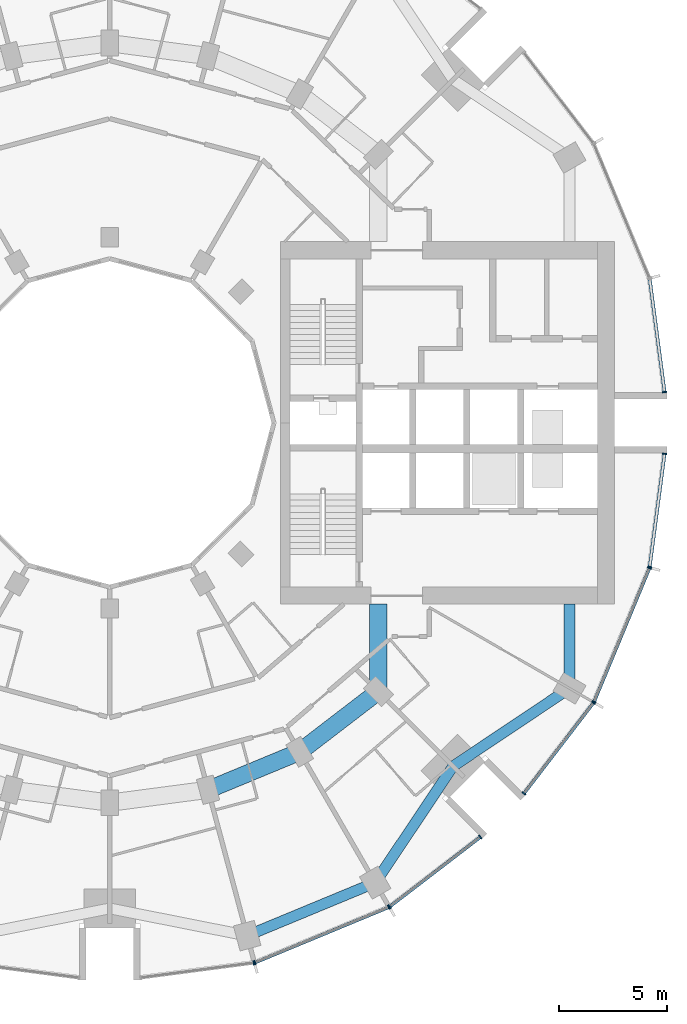
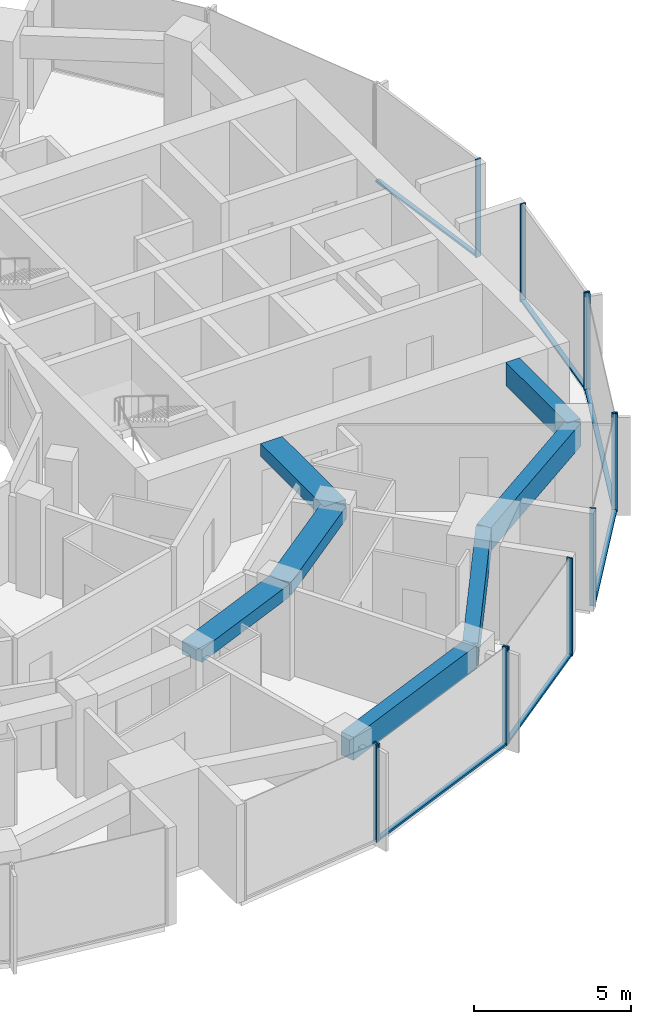
# One storey, part 4 of 15: 18 members, 7 beams, 7 elements without a shape of their own.
"""IFC4 building model written with IfcOpenShell, lengths in metres."""

from ifc_helpers import new_model, si_unit, direction, frame, origin, origin_2d, place, context, subcontext, project, spatial, rectangle, extrude, material, layer, layer_set, material_profile, profile_set, type_object, element, aggregate, save


model = new_model("IFC4")

# Units and contexts
model_context = context("Model", 3, precision=1e-05, world=origin(), true_north=direction((0.0, 1.0)))
body_context = subcontext(model_context, "Body", "Model", "MODEL_VIEW")
ifc_project = project(units=[si_unit("LENGTHUNIT", "METRE"), si_unit("AREAUNIT", "SQUARE_METRE"), si_unit("VOLUMEUNIT", "CUBIC_METRE"), si_unit("PLANEANGLEUNIT", "RADIAN"), si_unit("MASSUNIT", "GRAM", prefix="KILO")], contexts=[model_context])

# Site, building, storey
site_placement = place(None, origin())
site = spatial("IfcSite", under=ifc_project, at=site_placement, CompositionType="ELEMENT")
building_placement = place(site_placement, origin())
building = spatial("IfcBuilding", under=site, at=building_placement, Name="Torre Brocal", CompositionType="ELEMENT")
storey_placement = place(building_placement, frame((0.0, 0.0, 44.0)))
storey = spatial("IfcBuildingStorey", under=building, at=storey_placement, Name="L09", CompositionType="ELEMENT", Elevation=44.0)

# Curtain wall, member
ifc_material_1 = material(Name="Aluminium and glass", Category="aluminium")
ifc_layer_1 = layer(ifc_material_1, 0.199951171875)
ifc_layer_set_1 = layer_set([ifc_layer_1], Name="Aluminium and glass")
curtain_wall_type_1 = type_object("IfcCurtainWallType", Name="CW-1 CURTAIN WALL 3800 HIGH", PredefinedType="NOTDEFINED", material=ifc_layer_set_1)
curtain_wall_1_placement = place(storey_placement, origin())
curtain_wall_1 = element("IfcCurtainWall", 1, at=curtain_wall_1_placement, inside=storey, type_object=curtain_wall_type_1, Name="CW-1 RUN 19", PredefinedType="NOTDEFINED")
ifc_material_2 = material(Name="Aluminium, dark anodised", Category="aluminium")
ifc_material_profile_1 = material_profile(ifc_material_2, rectangle(XDim=0.199951171875, YDim=0.06005859375, at=origin_2d()), Name="CW-1 MULLION 60X200")
ifc_profile_set_1 = profile_set([ifc_material_profile_1], Name="Aluminium, dark anodised")
member_type_1 = type_object("IfcMemberType", Name="CW-1 MULLION 60X200", PredefinedType="MULLION", material=ifc_profile_set_1)
member_1_placement = place(storey_placement, frame((86.67333984375, 49.9794921875, 0.0), z_axis=(0.0, 0.0, 1.0), x_axis=(-0.13052619222, 0.991444861374, 0.0)))
member_1 = element("IfcMember", 2, at=member_1_placement, type_object=member_type_1, Name="CW1-1 mullion 2", PredefinedType="MULLION", context=body_context, shape_type="SweptSolid", body=[
    extrude(rectangle(XDim=0.199951171875, YDim=0.06005859375, at=origin_2d()), origin(), (0.0, 0.0, 1.0), 3.800048828125),
])
aggregate(curtain_wall_1, [member_1])

# Curtain wall, members
curtain_wall_2_placement = place(storey_placement, origin())
curtain_wall_2 = element("IfcCurtainWall", 3, at=curtain_wall_2_placement, inside=storey, type_object=curtain_wall_type_1, Name="CW-1 RUN 20", PredefinedType="NOTDEFINED")
member_2_placement = place(storey_placement, frame((86.73095703125, 49.994873046875, 0.0), z_axis=(0.0, 0.0, 1.0), x_axis=(-0.382683432333, 0.923879532525, 0.0)))
member_2 = element("IfcMember", 4, at=member_2_placement, type_object=member_type_1, Name="CW1-1 mullion 1", PredefinedType="MULLION", context=body_context, shape_type="SweptSolid", body=[
    extrude(rectangle(XDim=0.199951171875, YDim=0.06005859375, at=origin_2d()), origin(), (0.0, 0.0, 1.0), 3.800048828125),
])
member_3_placement = place(storey_placement, frame((92.921875, 52.559326171875, 0.0), z_axis=(0.0, 0.0, 1.0), x_axis=(-0.382683432333, 0.923879532525, 0.0)))
member_3 = element("IfcMember", 5, at=member_3_placement, type_object=member_type_1, Name="CW1-1 mullion 2", PredefinedType="MULLION", context=body_context, shape_type="SweptSolid", body=[
    extrude(rectangle(XDim=0.199951171875, YDim=0.06005859375, at=origin_2d()), origin(), (0.0, 0.0, 1.0), 3.800048828125),
])

curtain_wall_3_placement = place(storey_placement, origin())
curtain_wall_3 = element("IfcCurtainWall", 6, at=curtain_wall_3_placement, inside=storey, type_object=curtain_wall_type_1, Name="CW-1 RUN 21", PredefinedType="NOTDEFINED")
member_4_placement = place(storey_placement, frame((92.973388671875, 52.5888671875, 0.0), z_axis=(0.0, 0.0, 1.0), x_axis=(-0.60876142905, 0.793353340259, 0.0)))
member_4 = element("IfcMember", 7, at=member_4_placement, type_object=member_type_1, Name="CW1-1 mullion 1", PredefinedType="MULLION", context=body_context, shape_type="SweptSolid", body=[
    extrude(rectangle(XDim=0.199951171875, YDim=0.06005859375, at=origin_2d()), origin(), (0.0, 0.0, 1.0), 3.800048828125),
])
member_5_placement = place(storey_placement, frame((97.16943359375, 55.80859375, 0.0), z_axis=(0.0, 0.0, 1.0), x_axis=(-0.60876142905, 0.793353340259, 0.0)))
member_5 = element("IfcMember", 8, at=member_5_placement, type_object=member_type_1, Name="CW1-1 mullion 2", PredefinedType="MULLION", context=body_context, shape_type="SweptSolid", body=[
    extrude(rectangle(XDim=0.199951171875, YDim=0.06005859375, at=origin_2d()), origin(), (0.0, 0.0, 1.0), 3.800048828125),
])

curtain_wall_4_placement = place(storey_placement, origin())
curtain_wall_4 = element("IfcCurtainWall", 9, at=curtain_wall_4_placement, inside=storey, type_object=curtain_wall_type_1, Name="CW-1 RUN 22", PredefinedType="NOTDEFINED")
member_6_placement = place(storey_placement, frame((99.19140625, 57.83056640625, 0.0), z_axis=(0.0, 0.0, 1.0), x_axis=(-0.793353340259, 0.60876142905, 0.0)))
member_6 = element("IfcMember", 10, at=member_6_placement, type_object=member_type_1, Name="CW1-1 mullion 1", PredefinedType="MULLION", context=body_context, shape_type="SweptSolid", body=[
    extrude(rectangle(XDim=0.199951171875, YDim=0.06005859375, at=origin_2d()), origin(), (0.0, 0.0, 1.0), 3.800048828125),
])
member_7_placement = place(storey_placement, frame((102.4111328125, 62.026611328125, 0.0), z_axis=(0.0, 0.0, 1.0), x_axis=(-0.793353340259, 0.60876142905, 0.0)))
member_7 = element("IfcMember", 11, at=member_7_placement, type_object=member_type_1, Name="CW1-1 mullion 2", PredefinedType="MULLION", context=body_context, shape_type="SweptSolid", body=[
    extrude(rectangle(XDim=0.199951171875, YDim=0.06005859375, at=origin_2d()), origin(), (0.0, 0.0, 1.0), 3.800048828125),
])

curtain_wall_5_placement = place(storey_placement, origin())
curtain_wall_5 = element("IfcCurtainWall", 12, at=curtain_wall_5_placement, inside=storey, type_object=curtain_wall_type_1, Name="CW-1 RUN 23", PredefinedType="NOTDEFINED")
member_8_placement = place(storey_placement, frame((102.440673828125, 62.078125, 0.0), z_axis=(0.0, 0.0, 1.0), x_axis=(-0.923879532525, 0.382683432333, 0.0)))
member_8 = element("IfcMember", 13, at=member_8_placement, type_object=member_type_1, Name="CW1-1 mullion 1", PredefinedType="MULLION", context=body_context, shape_type="SweptSolid", body=[
    extrude(rectangle(XDim=0.199951171875, YDim=0.06005859375, at=origin_2d()), origin(), (0.0, 0.0, 1.0), 3.800048828125),
])
member_9_placement = place(storey_placement, frame((105.005126953125, 68.26904296875, 0.0), z_axis=(0.0, 0.0, 1.0), x_axis=(-0.923879532525, 0.382683432333, 0.0)))
member_9 = element("IfcMember", 14, at=member_9_placement, type_object=member_type_1, Name="CW1-1 mullion 2", PredefinedType="MULLION", context=body_context, shape_type="SweptSolid", body=[
    extrude(rectangle(XDim=0.199951171875, YDim=0.06005859375, at=origin_2d()), origin(), (0.0, 0.0, 1.0), 3.800048828125),
])

# Member
ifc_material_3 = material(Name="Aluminium, dark anodised", Category="aluminium")
ifc_material_profile_2 = material_profile(ifc_material_3, rectangle(XDim=0.159912109375, YDim=0.080078125, at=origin_2d()), Name="CW-1 TRANSOM 160X80")
ifc_profile_set_2 = profile_set([ifc_material_profile_2], Name="Aluminium, dark anodised")
member_type_2 = type_object("IfcMemberType", Name="CW-1 TRANSOM 160X80", PredefinedType="USERDEFINED", material=ifc_profile_set_2)
member_10_placement = place(storey_placement, frame((86.758544921875, 50.00634765625, 0.0400390625), z_axis=(0.923887344364, 0.38266457234, 0.0), x_axis=(-0.38266457234, 0.923887344364, 0.0)))
member_10 = element("IfcMember", 15, at=member_10_placement, type_object=member_type_2, Name="CW1-1 transom 1.1", ObjectType="TRANSOM", PredefinedType="USERDEFINED", context=body_context, shape_type="SweptSolid", body=[
    extrude(rectangle(XDim=0.159912109375, YDim=0.080078125, at=origin_2d()), origin(), (0.0, 0.0, 1.0), 6.640869140625),
])

aggregate(curtain_wall_2, [member_2, member_3, member_10])

member_11_placement = place(storey_placement, frame((92.9970703125, 52.607177734375, 0.0400390625), z_axis=(0.79336281513, 0.60874908096, 0.0), x_axis=(-0.60874908096, 0.79336281513, 0.0)))
member_11 = element("IfcMember", 16, at=member_11_placement, type_object=member_type_2, Name="CW1-1 transom 1.1", ObjectType="TRANSOM", PredefinedType="USERDEFINED", context=body_context, shape_type="SweptSolid", body=[
    extrude(rectangle(XDim=0.159912109375, YDim=0.080078125, at=origin_2d()), origin(), (0.0, 0.0, 1.0), 5.22900390625),
])

aggregate(curtain_wall_3, [member_4, member_5, member_11])

member_12_placement = place(storey_placement, frame((99.209716796875, 57.8544921875, 0.0400390625), z_axis=(0.60874908096, 0.79336281513, 0.0), x_axis=(-0.79336281513, 0.60874908096, 0.0)))
member_12 = element("IfcMember", 17, at=member_12_placement, type_object=member_type_2, Name="CW1-1 transom 1.1", ObjectType="TRANSOM", PredefinedType="USERDEFINED", context=body_context, shape_type="SweptSolid", body=[
    extrude(rectangle(XDim=0.159912109375, YDim=0.080078125, at=origin_2d()), origin(), (0.0, 0.0, 1.0), 5.22900390625),
])

aggregate(curtain_wall_4, [member_6, member_7, member_12])

member_13_placement = place(storey_placement, frame((102.452392578125, 62.10595703125, 0.0400390625), z_axis=(0.38266457234, 0.923887344364, 0.0), x_axis=(-0.923887344364, 0.38266457234, 0.0)))
member_13 = element("IfcMember", 18, at=member_13_placement, type_object=member_type_2, Name="CW1-1 transom 1.1", ObjectType="TRANSOM", PredefinedType="USERDEFINED", context=body_context, shape_type="SweptSolid", body=[
    extrude(rectangle(XDim=0.159912109375, YDim=0.080078125, at=origin_2d()), origin(), (0.0, 0.0, 1.0), 6.640869140625),
])

aggregate(curtain_wall_5, [member_8, member_9, member_13])

# Curtain wall, member
ifc_material_4 = material(Name="Aluminium and glass", Category="aluminium")
ifc_layer_2 = layer(ifc_material_4, 0.199951171875)
ifc_layer_set_2 = layer_set([ifc_layer_2], Name="Aluminium and glass")
curtain_wall_type_2 = type_object("IfcCurtainWallType", Name="CW-1B CURTAIN WALL 3800 HIGH", PredefinedType="NOTDEFINED", material=ifc_layer_set_2)
curtain_wall_6_placement = place(storey_placement, origin())
curtain_wall_6 = element("IfcCurtainWall", 19, at=curtain_wall_6_placement, inside=storey, type_object=curtain_wall_type_2, Name="CW-1B RUN 1", PredefinedType="NOTDEFINED")
ifc_material_5 = material(Name="Aluminium, dark anodised", Category="aluminium")
ifc_material_profile_3 = material_profile(ifc_material_5, rectangle(XDim=0.199951171875, YDim=0.06005859375, at=origin_2d()), Name="CW-1B MULLION 60X200")
ifc_profile_set_3 = profile_set([ifc_material_profile_3], Name="Aluminium, dark anodised")
member_type_3 = type_object("IfcMemberType", Name="CW-1B MULLION 60X200", PredefinedType="MULLION", material=ifc_profile_set_3)
member_14_placement = place(storey_placement, frame((105.7109375, 76.4296875, 0.0), z_axis=(0.0, 0.0, 1.0), x_axis=(-0.991444861374, -0.13052619222, 0.0)))
member_14 = element("IfcMember", 20, at=member_14_placement, type_object=member_type_3, Name="CW1B-1 mullion 1", PredefinedType="MULLION", context=body_context, shape_type="SweptSolid", body=[
    extrude(rectangle(XDim=0.199951171875, YDim=0.06005859375, at=origin_2d()), origin(), (0.0, 0.0, 1.0), 3.800048828125),
])

# Curtain wall, members
curtain_wall_7_placement = place(storey_placement, origin())
curtain_wall_7 = element("IfcCurtainWall", 21, at=curtain_wall_7_placement, inside=storey, type_object=curtain_wall_type_2, Name="CW-1B RUN 24", PredefinedType="NOTDEFINED")
member_15_placement = place(storey_placement, frame((105.0205078125, 68.32666015625, 0.0), z_axis=(0.0, 0.0, 1.0), x_axis=(-0.991444861374, 0.13052619222, 0.0)))
member_15 = element("IfcMember", 22, at=member_15_placement, type_object=member_type_3, Name="CW1B-1 mullion 1", PredefinedType="MULLION", context=body_context, shape_type="SweptSolid", body=[
    extrude(rectangle(XDim=0.199951171875, YDim=0.06005859375, at=origin_2d()), origin(), (0.0, 0.0, 1.0), 3.800048828125),
])
member_16_placement = place(storey_placement, frame((105.7109375, 73.5703125, 0.0), z_axis=(0.0, 0.0, 1.0), x_axis=(-0.991444861374, 0.13052619222, 0.0)))
member_16 = element("IfcMember", 23, at=member_16_placement, type_object=member_type_3, Name="CW1B-1 mullion 2", PredefinedType="MULLION", context=body_context, shape_type="SweptSolid", body=[
    extrude(rectangle(XDim=0.199951171875, YDim=0.06005859375, at=origin_2d()), origin(), (0.0, 0.0, 1.0), 3.800048828125),
])

# Member
ifc_material_6 = material(Name="Aluminium, dark anodised", Category="aluminium")
ifc_material_profile_4 = material_profile(ifc_material_6, rectangle(XDim=0.159912109375, YDim=0.080078125, at=origin_2d()), Name="CW-1B TRANSOM 160X80")
ifc_profile_set_4 = profile_set([ifc_material_profile_4], Name="Aluminium, dark anodised")
member_type_4 = type_object("IfcMemberType", Name="CW-1B TRANSOM 160X80", PredefinedType="USERDEFINED", material=ifc_profile_set_4)
member_17_placement = place(storey_placement, frame((105.70703125, 76.45947265625, 0.0400390625), z_axis=(-0.130542677827, 0.991442690863, 0.0), x_axis=(-0.991442690863, -0.130542677827, 0.0)))
member_17 = element("IfcMember", 24, at=member_17_placement, type_object=member_type_4, Name="CW1B-1 transom 1.1", ObjectType="TRANSOM", PredefinedType="USERDEFINED", context=body_context, shape_type="SweptSolid", body=[
    extrude(rectangle(XDim=0.159912109375, YDim=0.080078125, at=origin_2d()), origin(), (0.0, 0.0, 1.0), 5.22900390625),
])

aggregate(curtain_wall_6, [member_14, member_17])

member_18_placement = place(storey_placement, frame((105.0244140625, 68.356201171875, 0.0400390625), z_axis=(0.130542677827, 0.991442690863, 0.0), x_axis=(-0.991442690863, 0.130542677827, 0.0)))
member_18 = element("IfcMember", 25, at=member_18_placement, type_object=member_type_4, Name="CW1B-1 transom 1.1", ObjectType="TRANSOM", PredefinedType="USERDEFINED", context=body_context, shape_type="SweptSolid", body=[
    extrude(rectangle(XDim=0.159912109375, YDim=0.080078125, at=origin_2d()), origin(), (0.0, 0.0, 1.0), 5.22900390625),
])

aggregate(curtain_wall_7, [member_15, member_16, member_18])

# Beams
ifc_material_7 = material(Name="Concrete C50", Category="concrete")
ifc_material_profile_5 = material_profile(ifc_material_7, rectangle(XDim=0.800048828125, YDim=0.5, at=origin_2d()), Name="RC 800X500")
ifc_profile_set_5 = profile_set([ifc_material_profile_5], Name="Concrete C50")
beam_type_1 = type_object("IfcBeamType", Name="RC BEAM 800X500 C50 TOP 3480", PredefinedType="BEAM", material=ifc_profile_set_5)
beam_1_placement = place(storey_placement, frame((84.55517578125, 57.999755859375, 3.22998046875), z_axis=(0.923878240166, 0.382686552348, 0.0), x_axis=(-0.382686552348, 0.923878240166, 0.0)))
element("IfcBeam", 26, at=beam_1_placement, inside=storey, type_object=beam_type_1, Name="Beam BT-19", PredefinedType="BEAM", context=body_context, shape_type="SweptSolid", body=[
    extrude(rectangle(XDim=0.800048828125, YDim=0.5, at=origin_2d()), origin(), (0.0, 0.0, 1.0), 4.5947265625),
])
beam_2_placement = place(storey_placement, frame((88.800048828125, 59.758056640625, 3.22998046875), z_axis=(0.793358265959, 0.6087550097, 0.0), x_axis=(-0.6087550097, 0.793358265959, 0.0)))
element("IfcBeam", 27, at=beam_2_placement, inside=storey, type_object=beam_type_1, Name="Beam BT-19", PredefinedType="BEAM", context=body_context, shape_type="SweptSolid", body=[
    extrude(rectangle(XDim=0.800048828125, YDim=0.5, at=origin_2d()), origin(), (0.0, 0.0, 1.0), 4.594482421875),
])
beam_3_placement = place(storey_placement, frame((92.445068359375, 62.554931640625, 3.22998046875), z_axis=(0.0, 1.0, 0.0), x_axis=(-1.0, 0.0, 0.0)))
element("IfcBeam", 28, at=beam_3_placement, inside=storey, type_object=beam_type_1, Name="Beam BT-19", PredefinedType="BEAM", context=body_context, shape_type="SweptSolid", body=[
    extrude(rectangle(XDim=0.800048828125, YDim=0.5, at=origin_2d()), origin(), (0.0, 0.0, 1.0), 4.045166015625),
])
ifc_material_8 = material(Name="Concrete C50", Category="concrete")
ifc_material_profile_6 = material_profile(ifc_material_8, rectangle(XDim=0.5, YDim=0.89990234375, at=origin_2d()), Name="RC 500X900")
ifc_profile_set_6 = profile_set([ifc_material_profile_6], Name="Concrete C50")
beam_type_2 = type_object("IfcBeamType", Name="RC SPANDREL BEAM 500X900 C50 TOP 3480", PredefinedType="SPANDREL", material=ifc_profile_set_6)
beam_4_placement = place(storey_placement, frame((86.366943359375, 51.23828125, 3.030029296875), z_axis=(0.923882462513, 0.382676358639, 0.0), x_axis=(-0.382676358639, 0.923882462513, 0.0)))
element("IfcBeam", 29, at=beam_4_placement, inside=storey, type_object=beam_type_2, Name="Beam BT-20", PredefinedType="SPANDREL", context=body_context, shape_type="SweptSolid", body=[
    extrude(rectangle(XDim=0.5, YDim=0.89990234375, at=origin_2d()), origin(), (0.0, 0.0, 1.0), 6.421875),
])
for number, where, z_axis, x_axis, name in (
    (30, (92.300048828125, 53.69580078125, 3.030029296875), (0.556157602282, 0.831076844476, 0.0), (-0.831076844476, 0.556157602282, 0.0), "Beam BT-20"),
    (31, (95.909912109375, 59.090087890625, 3.030029296875), (0.831076844476, 0.556157602282, 0.0), (-0.556157602282, 0.831076844476, 0.0), "Beam BT-20"),
):
    element("IfcBeam", number, at=place(storey_placement, frame(where, z_axis=z_axis, x_axis=x_axis)), inside=storey, type_object=beam_type_2, Name=name, PredefinedType="SPANDREL", context=body_context, shape_type="SweptSolid", body=[
        extrude(rectangle(XDim=0.5, YDim=0.89990234375, at=origin_2d()), origin(), (0.0, 0.0, 1.0), 6.49072265625),
    ])
beam_5_placement = place(storey_placement, frame((101.30419921875, 62.699951171875, 3.030029296875), z_axis=(0.0, 1.0, 0.0), x_axis=(-1.0, 0.0, 0.0)))
element("IfcBeam", 32, at=beam_5_placement, inside=storey, type_object=beam_type_2, Name="Beam BT-20", PredefinedType="SPANDREL", context=body_context, shape_type="SweptSolid", body=[
    extrude(rectangle(XDim=0.5, YDim=0.89990234375, at=origin_2d()), origin(), (0.0, 0.0, 1.0), 3.900146484375),
])

save(model, "model.ifc")
